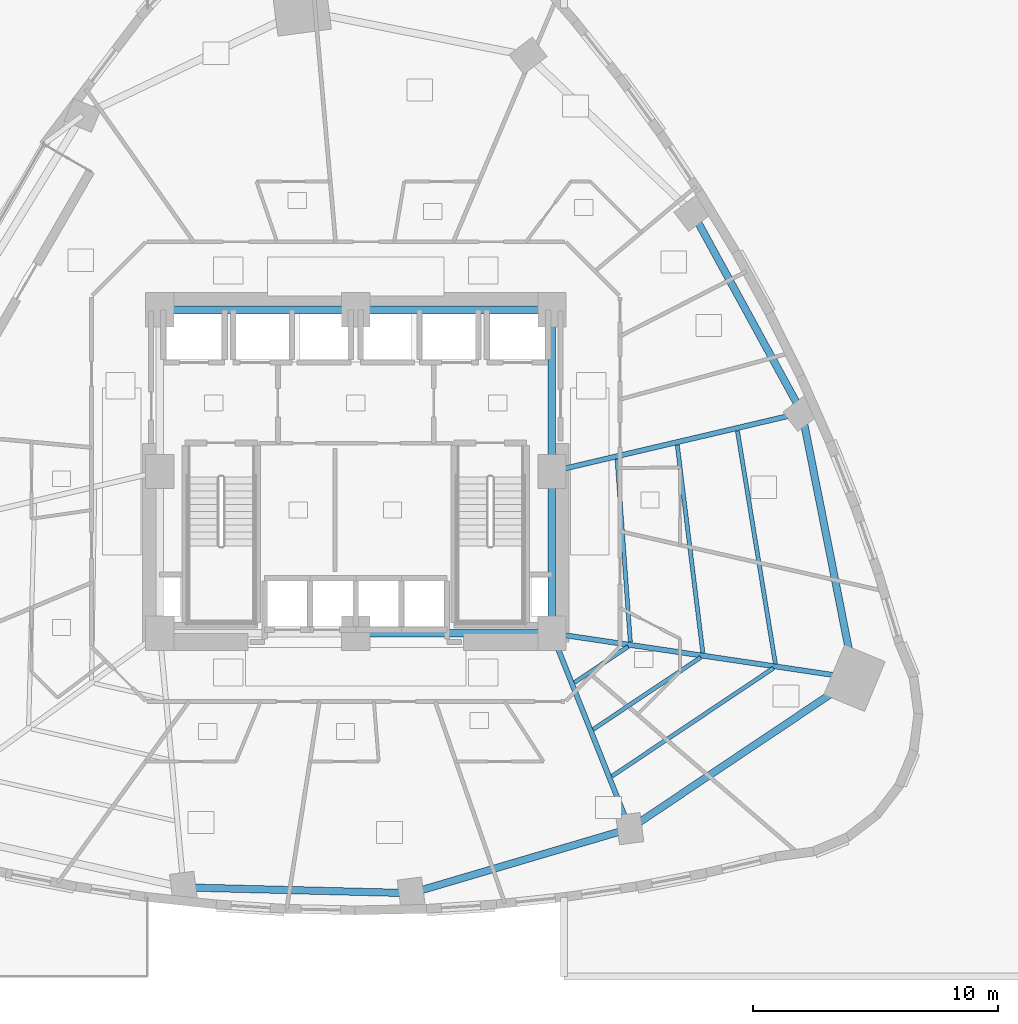
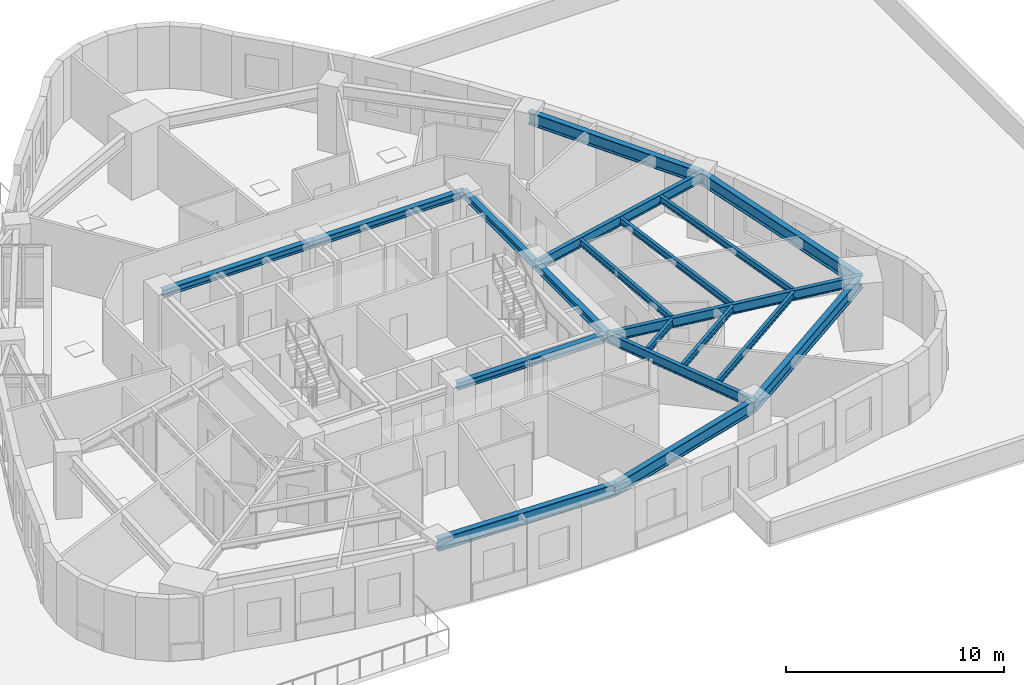
# One storey, part 4 of 15: 19 beams.
"""IFC4 building model written with IfcOpenShell, lengths in metres."""

from ifc_helpers import new_model, si_unit, direction, frame, origin, origin_2d, place, context, subcontext, project, spatial, i_section, extrude, material, material_profile, profile_set, type_object, element, save


model = new_model("IFC4")

# Units and contexts
model_context = context("Model", 3, precision=1e-05, world=origin(), true_north=direction((0.0, 1.0)))
body_context = subcontext(model_context, "Body", "Model", "MODEL_VIEW")
ifc_project = project(units=[si_unit("LENGTHUNIT", "METRE"), si_unit("AREAUNIT", "SQUARE_METRE"), si_unit("VOLUMEUNIT", "CUBIC_METRE"), si_unit("PLANEANGLEUNIT", "RADIAN"), si_unit("MASSUNIT", "GRAM", prefix="KILO")], contexts=[model_context])

# Site, building, storey
site_placement = place(None, origin())
site = spatial("IfcSite", under=ifc_project, at=site_placement, CompositionType="ELEMENT")
building_placement = place(site_placement, origin())
building = spatial("IfcBuilding", under=site, at=building_placement, Name="Ndelora Gate Hotel", CompositionType="ELEMENT")
storey_placement = place(building_placement, frame((0.0, 0.0, 30.5)))
storey = spatial("IfcBuildingStorey", under=building, at=storey_placement, Name="L06", CompositionType="ELEMENT", Elevation=30.5)

# Beams
ifc_material = material(Name="Steel S355", Category="steel")
ifc_material_profile_1 = material_profile(ifc_material, i_section(OverallWidth=0.300048828125, OverallDepth=0.39990234375, WebThickness=0.013427734375, FlangeThickness=0.02392578125, FilletRadius=0.027099609375, at=origin_2d()), Name="HEB 400")
ifc_profile_set_1 = profile_set([ifc_material_profile_1], Name="Steel S355")
beam_type_1 = type_object("IfcBeamType", Name="BM-CORE-400", PredefinedType="BEAM", material=ifc_profile_set_1)
for number, where, z_axis, x_axis, name in (
    (1, (-8.0, 6.60009765625, 3.300048828125), (1.0, 0.0, 0.0), (0.0, 1.0, 0.0), "L06 Core Tie Girder CC7-CC6"),
    (2, (0.0, 6.60009765625, 3.300048828125), (1.0, 0.0, 0.0), (0.0, 1.0, 0.0), "L06 Core Tie Girder CC6-CC5"),
):
    element("IfcBeam", number, at=place(storey_placement, frame(where, z_axis=z_axis, x_axis=x_axis)), inside=storey, type_object=beam_type_1, Name=name, PredefinedType="BEAM", context=body_context, shape_type="SweptSolid", body=[
        extrude(i_section(OverallWidth=0.300048828125, OverallDepth=0.39990234375, WebThickness=0.013427734375, FlangeThickness=0.02392578125, FilletRadius=0.027099609375, at=origin_2d()), origin(), (0.0, 0.0, 1.0), 8.0),
    ])
for number, where, z_axis, x_axis, name in (
    (3, (8.0, -6.60009765625, 3.300048828125), (0.0, 1.0, 0.0), (-1.0, 0.0, 0.0), "L06 Core Tie Girder CC3-CC4"),
    (4, (8.0, 0.0, 3.300048828125), (0.0, 1.0, 0.0), (-1.0, 0.0, 0.0), "L06 Core Tie Girder CC4-CC5"),
):
    element("IfcBeam", number, at=place(storey_placement, frame(where, z_axis=z_axis, x_axis=x_axis)), inside=storey, type_object=beam_type_1, Name=name, PredefinedType="BEAM", context=body_context, shape_type="SweptSolid", body=[
        extrude(i_section(OverallWidth=0.300048828125, OverallDepth=0.39990234375, WebThickness=0.013427734375, FlangeThickness=0.02392578125, FilletRadius=0.027099609375, at=origin_2d()), origin(), (0.0, 0.0, 1.0), 6.60009765625),
    ])
beam_1_placement = place(storey_placement, frame((0.0, -6.60009765625, 3.300048828125), z_axis=(1.0, 0.0, 0.0), x_axis=(0.0, 1.0, 0.0)))
element("IfcBeam", 5, at=beam_1_placement, inside=storey, type_object=beam_type_1, Name="L06 Core Tie Girder CC2-CC3", PredefinedType="BEAM", context=body_context, shape_type="SweptSolid", body=[
    extrude(i_section(OverallWidth=0.300048828125, OverallDepth=0.39990234375, WebThickness=0.013427734375, FlangeThickness=0.02392578125, FilletRadius=0.027099609375, at=origin_2d()), origin(), (0.0, 0.0, 1.0), 8.0),
])
ifc_material_profile_2 = material_profile(ifc_material, i_section(OverallWidth=0.169921875, OverallDepth=0.360107421875, WebThickness=0.008056640625, FlangeThickness=0.0126953125, FilletRadius=0.01806640625, at=origin_2d()), Name="IPE 360")
ifc_profile_set_2 = profile_set([ifc_material_profile_2], Name="Steel S355")
beam_type_2 = type_object("IfcBeamType", Name="BM-JST-360", PredefinedType="JOIST", material=ifc_profile_set_2)
beam_2_placement = place(storey_placement, frame((8.922119140625, -8.608154296875, 3.320068359375), z_axis=(0.830952990267, 0.556342635402, 0.0), x_axis=(-0.556342635402, 0.830952990267, 0.0)))
element("IfcBeam", 6, at=beam_2_placement, inside=storey, type_object=beam_type_2, Name="L06 Secondary Composite Floor Joist IN-8", PredefinedType="JOIST", context=body_context, shape_type="SweptSolid", body=[
    extrude(i_section(OverallWidth=0.169921875, OverallDepth=0.360107421875, WebThickness=0.008056640625, FlangeThickness=0.0126953125, FilletRadius=0.01806640625, at=origin_2d()), origin(), (0.0, 0.0, 1.0), 2.6396484375),
])
beam_3_placement = place(storey_placement, frame((9.685302734375, -10.520751953125, 3.320068359375), z_axis=(0.83093347578, 0.556371781121, 0.0), x_axis=(-0.556371781121, 0.83093347578, 0.0)))
element("IfcBeam", 7, at=beam_3_placement, inside=storey, type_object=beam_type_2, Name="L06 Secondary Composite Floor Joist MID-8", PredefinedType="JOIST", context=body_context, shape_type="SweptSolid", body=[
    extrude(i_section(OverallWidth=0.169921875, OverallDepth=0.360107421875, WebThickness=0.008056640625, FlangeThickness=0.0126953125, FilletRadius=0.01806640625, at=origin_2d()), origin(), (0.0, 0.0, 1.0), 5.2880859375),
])
beam_4_placement = place(storey_placement, frame((10.448486328125, -12.433349609375, 3.320068359375), z_axis=(0.830936507521, 0.556367253231, 0.0), x_axis=(-0.556367253231, 0.830936507521, 0.0)))
element("IfcBeam", 8, at=beam_4_placement, inside=storey, type_object=beam_type_2, Name="L06 Secondary Composite Floor Joist OUT-8", PredefinedType="JOIST", context=body_context, shape_type="SweptSolid", body=[
    extrude(i_section(OverallWidth=0.169921875, OverallDepth=0.360107421875, WebThickness=0.008056640625, FlangeThickness=0.0126953125, FilletRadius=0.01806640625, at=origin_2d()), origin(), (0.0, 0.0, 1.0), 7.936767578125),
])
beam_5_placement = place(storey_placement, frame((11.20263671875, -6.9609375, 3.320068359375), z_axis=(-0.072176031603, 0.997391909162, 0.0), x_axis=(-0.997391909162, -0.072176031603, 0.0)))
element("IfcBeam", 9, at=beam_5_placement, inside=storey, type_object=beam_type_2, Name="L06 Secondary Composite Floor Joist IN-9", PredefinedType="JOIST", context=body_context, shape_type="SweptSolid", body=[
    extrude(i_section(OverallWidth=0.169921875, OverallDepth=0.360107421875, WebThickness=0.008056640625, FlangeThickness=0.0126953125, FilletRadius=0.01806640625, at=origin_2d()), origin(), (0.0, 0.0, 1.0), 7.489013671875),
])
beam_6_placement = place(storey_placement, frame((14.160888671875, -7.400390625, 3.320068359375), z_axis=(-0.122030984704, 0.992526291225, 0.0), x_axis=(-0.992526291225, -0.122030984704, 0.0)))
element("IfcBeam", 10, at=beam_6_placement, inside=storey, type_object=beam_type_2, Name="L06 Secondary Composite Floor Joist MID-9", PredefinedType="JOIST", context=body_context, shape_type="SweptSolid", body=[
    extrude(i_section(OverallWidth=0.169921875, OverallDepth=0.360107421875, WebThickness=0.008056640625, FlangeThickness=0.0126953125, FilletRadius=0.01806640625, at=origin_2d()), origin(), (0.0, 0.0, 1.0), 8.548828125),
])
beam_7_placement = place(storey_placement, frame((17.12060546875, -7.840087890625, 3.320068359375), z_axis=(-0.160901992796, 0.986970388975, 0.0), x_axis=(-0.986970388975, -0.160901992796, 0.0)))
element("IfcBeam", 11, at=beam_7_placement, inside=storey, type_object=beam_type_2, Name="L06 Secondary Composite Floor Joist OUT-9", PredefinedType="JOIST", context=body_context, shape_type="SweptSolid", body=[
    extrude(i_section(OverallWidth=0.169921875, OverallDepth=0.360107421875, WebThickness=0.008056640625, FlangeThickness=0.0126953125, FilletRadius=0.01806640625, at=origin_2d()), origin(), (0.0, 0.0, 1.0), 9.6259765625),
])
ifc_material_profile_3 = material_profile(ifc_material, i_section(OverallWidth=0.2099609375, OverallDepth=0.550048828125, WebThickness=0.010986328125, FlangeThickness=0.01708984375, FilletRadius=0.02392578125, at=origin_2d()), Name="IPE 550")
ifc_profile_set_3 = profile_set([ifc_material_profile_3], Name="Steel S355")
beam_type_3 = type_object("IfcBeamType", Name="BM-RAD-550", PredefinedType="BEAM", material=ifc_profile_set_3)
beam_8_placement = place(storey_placement, frame((8.0, -6.60009765625, 3.22509765625), z_axis=(0.37056142644, -0.92880796144, 0.0), x_axis=(0.92880796144, 0.37056142644, 0.0)))
element("IfcBeam", 12, at=beam_8_placement, inside=storey, type_object=beam_type_3, Name="L06 Radial Floor Girder 8", PredefinedType="BEAM", context=body_context, shape_type="SweptSolid", body=[
    extrude(i_section(OverallWidth=0.2099609375, OverallDepth=0.550048828125, WebThickness=0.010986328125, FlangeThickness=0.01708984375, FilletRadius=0.02392578125, at=origin_2d()), origin(), (0.0, 0.0, 1.0), 8.580078125),
])
beam_9_placement = place(storey_placement, frame((8.0, -6.60009765625, 3.22509765625), z_axis=(0.989209761041, -0.146506138649, 0.0), x_axis=(0.146506138649, 0.989209761041, 0.0)))
element("IfcBeam", 13, at=beam_9_placement, inside=storey, type_object=beam_type_3, Name="L06 Radial Floor Girder 9", PredefinedType="BEAM", context=body_context, shape_type="SweptSolid", body=[
    extrude(i_section(OverallWidth=0.2099609375, OverallDepth=0.550048828125, WebThickness=0.010986328125, FlangeThickness=0.01708984375, FilletRadius=0.02392578125, at=origin_2d()), origin(), (0.0, 0.0, 1.0), 12.48486328125),
])
beam_10_placement = place(storey_placement, frame((8.0, 0.0, 3.22509765625), z_axis=(0.973517848051, 0.22861102232, 0.0), x_axis=(-0.22861102232, 0.973517848051, 0.0)))
element("IfcBeam", 14, at=beam_10_placement, inside=storey, type_object=beam_type_3, Name="L06 Radial Floor Girder 10", PredefinedType="BEAM", context=body_context, shape_type="SweptSolid", body=[
    extrude(i_section(OverallWidth=0.2099609375, OverallDepth=0.550048828125, WebThickness=0.010986328125, FlangeThickness=0.01708984375, FilletRadius=0.02392578125, at=origin_2d()), origin(), (0.0, 0.0, 1.0), 10.48486328125),
])
ifc_material_profile_4 = material_profile(ifc_material, i_section(OverallWidth=0.300048828125, OverallDepth=0.699951171875, WebThickness=0.01708984375, FlangeThickness=0.031982421875, FilletRadius=0.027099609375, at=origin_2d()), Name="HEB 700")
ifc_profile_set_4 = profile_set([ifc_material_profile_4], Name="Steel S355")
beam_type_4 = type_object("IfcBeamType", Name="BM-RING-700", PredefinedType="SPANDREL", material=ifc_profile_set_4)
beam_11_placement = place(storey_placement, frame((-7.027587890625, -16.96630859375, 3.14990234375), z_axis=(0.999679406439, -0.025319643409, 0.0), x_axis=(0.025319643409, 0.999679406439, 0.0)))
element("IfcBeam", 15, at=beam_11_placement, inside=storey, type_object=beam_type_4, Name="L06 Perimeter Spandrel Girder 6", PredefinedType="SPANDREL", context=body_context, shape_type="SweptSolid", body=[
    extrude(i_section(OverallWidth=0.300048828125, OverallDepth=0.699951171875, WebThickness=0.01708984375, FlangeThickness=0.031982421875, FilletRadius=0.027099609375, at=origin_2d()), origin(), (0.0, 0.0, 1.0), 9.295166015625),
])
beam_12_placement = place(storey_placement, frame((2.2646484375, -17.20166015625, 3.14990234375), z_axis=(0.959064248316, 0.283188572514, 0.0), x_axis=(-0.283188572514, 0.959064248316, 0.0)))
element("IfcBeam", 16, at=beam_12_placement, inside=storey, type_object=beam_type_4, Name="L06 Perimeter Spandrel Girder 7", PredefinedType="SPANDREL", context=body_context, shape_type="SweptSolid", body=[
    extrude(i_section(OverallWidth=0.300048828125, OverallDepth=0.699951171875, WebThickness=0.01708984375, FlangeThickness=0.031982421875, FilletRadius=0.027099609375, at=origin_2d()), origin(), (0.0, 0.0, 1.0), 9.29541015625),
])
beam_13_placement = place(storey_placement, frame((11.179443359375, -14.5693359375, 3.14990234375), z_axis=(0.830945983886, 0.556353099985, 0.0), x_axis=(-0.556353099985, 0.830945983886, 0.0)))
element("IfcBeam", 17, at=beam_13_placement, inside=storey, type_object=beam_type_4, Name="L06 Perimeter Spandrel Girder 8", PredefinedType="SPANDREL", context=body_context, shape_type="SweptSolid", body=[
    extrude(i_section(OverallWidth=0.300048828125, OverallDepth=0.699951171875, WebThickness=0.01708984375, FlangeThickness=0.031982421875, FilletRadius=0.027099609375, at=origin_2d()), origin(), (0.0, 0.0, 1.0), 11.036376953125),
])
beam_14_placement = place(storey_placement, frame((20.35009765625, -8.42919921875, 3.14990234375), z_axis=(-0.194163071691, 0.980969266385, 0.0), x_axis=(-0.980969266385, -0.194163071691, 0.0)))
element("IfcBeam", 18, at=beam_14_placement, inside=storey, type_object=beam_type_4, Name="L06 Perimeter Spandrel Girder 9", PredefinedType="SPANDREL", context=body_context, shape_type="SweptSolid", body=[
    extrude(i_section(OverallWidth=0.300048828125, OverallDepth=0.699951171875, WebThickness=0.01708984375, FlangeThickness=0.031982421875, FilletRadius=0.027099609375, at=origin_2d()), origin(), (0.0, 0.0, 1.0), 11.0361328125),
])
beam_15_placement = place(storey_placement, frame((18.207275390625, 2.39697265625, 3.14990234375), z_axis=(-0.479203651005, 0.87770374322, 0.0), x_axis=(-0.87770374322, -0.479203651005, 0.0)))
element("IfcBeam", 19, at=beam_15_placement, inside=storey, type_object=beam_type_4, Name="L06 Perimeter Spandrel Girder 10", PredefinedType="SPANDREL", context=body_context, shape_type="SweptSolid", body=[
    extrude(i_section(OverallWidth=0.300048828125, OverallDepth=0.699951171875, WebThickness=0.01708984375, FlangeThickness=0.031982421875, FilletRadius=0.027099609375, at=origin_2d()), origin(), (0.0, 0.0, 1.0), 9.293212890625),
])

save(model, "model.ifc")
